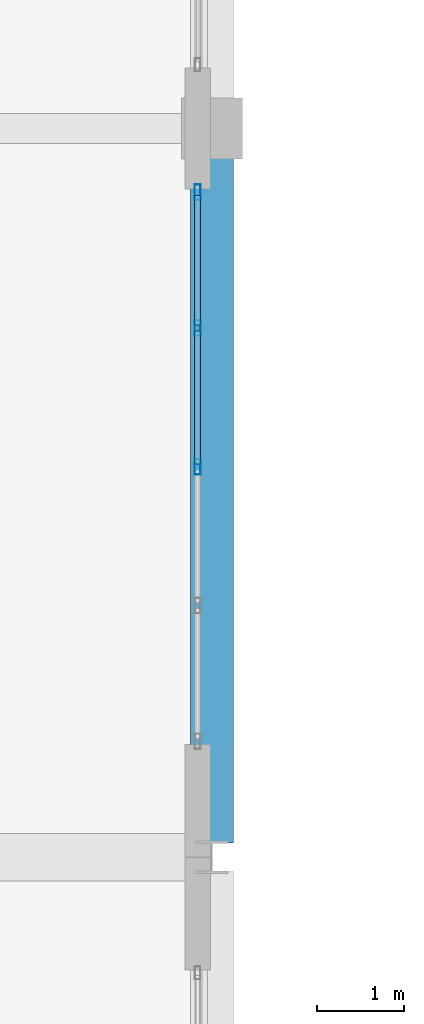
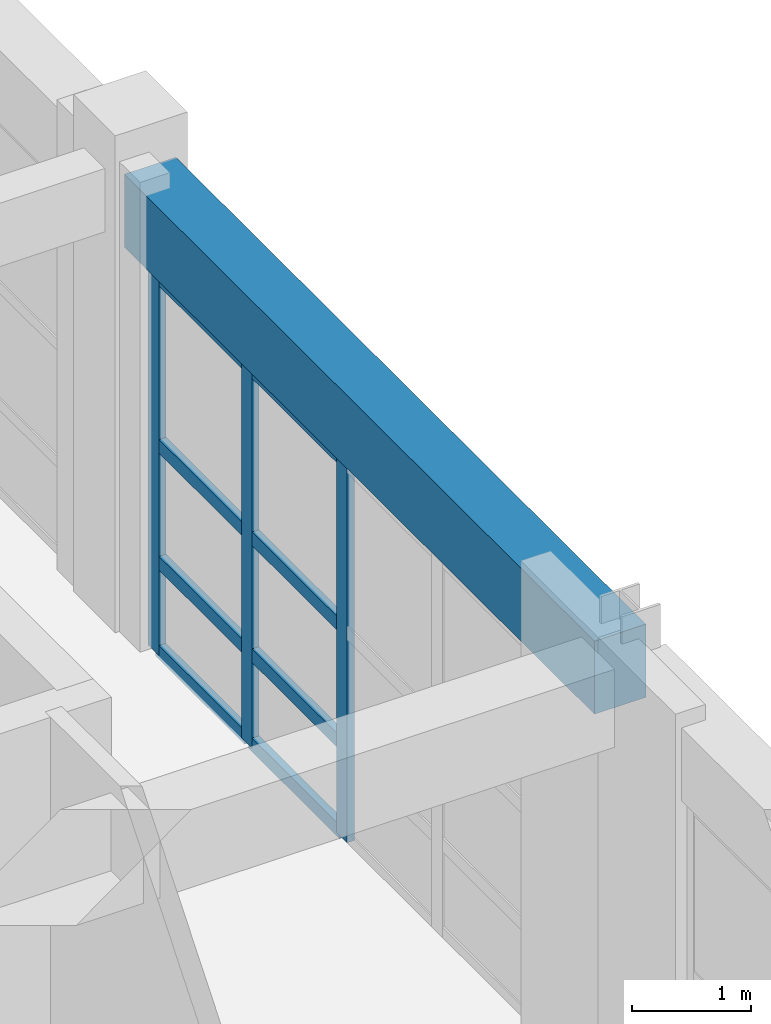
# One storey, part 21 of 78: 11 members, 1 beam, 1 element without a shape of its own.
"""IFC4 building model written with IfcOpenShell, lengths in metres."""

from ifc_helpers import new_model, si_unit, direction, frame, origin, origin_2d, place, context, subcontext, project, spatial, rectangle, hollow_rectangle, extrude, material, layer, layer_set, material_profile, profile_set, type_object, element, aggregate, save


model = new_model("IFC4")

# Units and contexts
model_context = context("Model", 3, precision=1e-05, world=origin(), true_north=direction((0.0, 1.0)))
body_context = subcontext(model_context, "Body", "Model", "MODEL_VIEW")
ifc_project = project(units=[si_unit("LENGTHUNIT", "METRE"), si_unit("AREAUNIT", "SQUARE_METRE"), si_unit("VOLUMEUNIT", "CUBIC_METRE"), si_unit("PLANEANGLEUNIT", "RADIAN"), si_unit("MASSUNIT", "GRAM", prefix="KILO")], contexts=[model_context])

# Site, building, storey
site_placement = place(None, origin())
site = spatial("IfcSite", under=ifc_project, at=site_placement, CompositionType="ELEMENT")
building_placement = place(site_placement, origin())
building = spatial("IfcBuilding", under=site, at=building_placement, Name="Quendrovan Civic Courthouse", CompositionType="ELEMENT")
storey_placement = place(building_placement, frame((0.0, 0.0, 10.199951171875)))
storey = spatial("IfcBuildingStorey", under=building, at=storey_placement, Name="L03", CompositionType="ELEMENT", Elevation=10.199951171875)

# Beam
ifc_material_1 = material(Name="Concrete C40/50", Category="concrete")
ifc_material_profile_1 = material_profile(ifc_material_1, rectangle(XDim=0.5, YDim=0.75, at=origin_2d()), Name="RC-BM-500x750")
ifc_profile_set_1 = profile_set([ifc_material_profile_1], Name="Concrete C40/50")
beam_type = type_object("IfcBeamType", Name="BM-RC750", PredefinedType="SPANDREL", material=ifc_profile_set_1)
beam_placement = place(storey_placement, frame((16.800048828125, 56.56591796875, 4.28515625), z_axis=(0.0, 1.0, 0.0), x_axis=(-1.0, 0.0, 0.0)))
element("IfcBeam", 1, at=beam_placement, inside=storey, type_object=beam_type, Name="L03 Girder Y0815", PredefinedType="SPANDREL", context=body_context, shape_type="SweptSolid", body=[
    extrude(rectangle(XDim=0.5, YDim=0.75, at=origin_2d()), origin(), (0.0, 0.0, 1.0), 7.904052734375),
])

# Curtain wall, members
ifc_material_2 = material(Name="Bronze anodised aluminium and low-E glass", Category="aluminium")
ifc_layer = layer(ifc_material_2, 0.179931640625, Name="Bronze anodised aluminium and low-E glass")
ifc_layer_set = layer_set([ifc_layer], Name="Bronze anodised aluminium and low-E glass")
curtain_wall_type = type_object("IfcCurtainWallType", Name="CW-U64x39", PredefinedType="USERDEFINED", material=ifc_layer_set)
curtain_wall_placement = place(storey_placement, origin())
curtain_wall = element("IfcCurtainWall", 2, at=curtain_wall_placement, inside=storey, type_object=curtain_wall_type, Name="L03 Unitised Hurricane Curtain Wall CW-122", ObjectType="UNITISED CURTAIN WALL", PredefinedType="USERDEFINED")
ifc_material_3 = material(Name="Bronze anodised aluminium", Category="aluminium")
ifc_material_profile_2 = material_profile(ifc_material_3, hollow_rectangle(XDim=0.070068359375, YDim=0.179931640625, WallThickness=0.00390625, at=origin_2d()), Name="CW-MULL-70x180")
ifc_profile_set_2 = profile_set([ifc_material_profile_2], Name="Bronze anodised aluminium")
member_type_1 = type_object("IfcMemberType", Name="CW-MULL-A", PredefinedType="MULLION", material=ifc_profile_set_2)
member_1_placement = place(storey_placement, frame((16.635009765625, 64.06494140625, 0.0), z_axis=(0.0, 0.0, 1.0), x_axis=(1.0, 0.0, 0.0)))
member_1 = element("IfcMember", 3, at=member_1_placement, type_object=member_type_1, Name="CW-122 mullion 1", PredefinedType="MULLION", context=body_context, shape_type="SweptSolid", body=[
    extrude(hollow_rectangle(XDim=0.070068359375, YDim=0.179931640625, WallThickness=0.00390625, at=origin_2d()), origin(), (0.0, 0.0, 1.0), 3.900146484375),
])
member_2_placement = place(storey_placement, frame((16.635009765625, 62.5, 0.0), z_axis=(0.0, 0.0, 1.0), x_axis=(1.0, 0.0, 0.0)))
member_2 = element("IfcMember", 4, at=member_2_placement, type_object=member_type_1, Name="CW-122 mullion 2", PredefinedType="MULLION", context=body_context, shape_type="SweptSolid", body=[
    extrude(hollow_rectangle(XDim=0.070068359375, YDim=0.179931640625, WallThickness=0.00390625, at=origin_2d()), origin(), (0.0, 0.0, 1.0), 3.900146484375),
])
member_3_placement = place(storey_placement, frame((16.635009765625, 60.89990234375, 0.0), z_axis=(0.0, 0.0, 1.0), x_axis=(1.0, 0.0, 0.0)))
member_3 = element("IfcMember", 5, at=member_3_placement, type_object=member_type_1, Name="CW-122 mullion 3", PredefinedType="MULLION", context=body_context, shape_type="SweptSolid", body=[
    extrude(hollow_rectangle(XDim=0.070068359375, YDim=0.179931640625, WallThickness=0.00390625, at=origin_2d()), origin(), (0.0, 0.0, 1.0), 3.900146484375),
])
ifc_material_profile_3 = material_profile(ifc_material_3, hollow_rectangle(XDim=0.070068359375, YDim=0.139892578125, WallThickness=0.00390625, at=origin_2d()), Name="CW-TRAN-70x140")
ifc_profile_set_3 = profile_set([ifc_material_profile_3], Name="Bronze anodised aluminium")
member_type_2 = type_object("IfcMemberType", Name="CW-TRAN-A", PredefinedType="USERDEFINED", material=ifc_profile_set_3)
member_4_placement = place(storey_placement, frame((16.635009765625, 64.030029296875, 0.03515625), z_axis=(0.0, -1.0, 0.0), x_axis=(1.0, 0.0, 0.0)))
member_4 = element("IfcMember", 6, at=member_4_placement, type_object=member_type_2, Name="CW-122 transom 1.1", ObjectType="TRANSOM", PredefinedType="USERDEFINED", context=body_context, shape_type="SweptSolid", body=[
    extrude(hollow_rectangle(XDim=0.070068359375, YDim=0.139892578125, WallThickness=0.00390625, at=origin_2d()), origin(), (0.0, 0.0, 1.0), 1.4951171875),
])
member_5_placement = place(storey_placement, frame((16.635009765625, 64.030029296875, 0.949951171875), z_axis=(0.0, -1.0, 0.0), x_axis=(1.0, 0.0, 0.0)))
member_5 = element("IfcMember", 7, at=member_5_placement, type_object=member_type_2, Name="CW-122 transom 1.2", ObjectType="TRANSOM", PredefinedType="USERDEFINED", context=body_context, shape_type="SweptSolid", body=[
    extrude(hollow_rectangle(XDim=0.070068359375, YDim=0.139892578125, WallThickness=0.00390625, at=origin_2d()), origin(), (0.0, 0.0, 1.0), 1.4951171875),
])
member_6_placement = place(storey_placement, frame((16.635009765625, 64.030029296875, 2.150146484375), z_axis=(0.0, -1.0, 0.0), x_axis=(1.0, 0.0, 0.0)))
member_6 = element("IfcMember", 8, at=member_6_placement, type_object=member_type_2, Name="CW-122 transom 1.3", ObjectType="TRANSOM", PredefinedType="USERDEFINED", context=body_context, shape_type="SweptSolid", body=[
    extrude(hollow_rectangle(XDim=0.070068359375, YDim=0.139892578125, WallThickness=0.00390625, at=origin_2d()), origin(), (0.0, 0.0, 1.0), 1.4951171875),
])
member_7_placement = place(storey_placement, frame((16.635009765625, 64.030029296875, 3.864990234375), z_axis=(0.0, -1.0, 0.0), x_axis=(1.0, 0.0, 0.0)))
member_7 = element("IfcMember", 9, at=member_7_placement, type_object=member_type_2, Name="CW-122 transom 1.4", ObjectType="TRANSOM", PredefinedType="USERDEFINED", context=body_context, shape_type="SweptSolid", body=[
    extrude(hollow_rectangle(XDim=0.070068359375, YDim=0.139892578125, WallThickness=0.00390625, at=origin_2d()), origin(), (0.0, 0.0, 1.0), 1.4951171875),
])
member_8_placement = place(storey_placement, frame((16.635009765625, 62.465087890625, 0.03515625), z_axis=(0.0, -1.0, 0.0), x_axis=(1.0, 0.0, 0.0)))
member_8 = element("IfcMember", 10, at=member_8_placement, type_object=member_type_2, Name="CW-122 transom 2.1", ObjectType="TRANSOM", PredefinedType="USERDEFINED", context=body_context, shape_type="SweptSolid", body=[
    extrude(hollow_rectangle(XDim=0.070068359375, YDim=0.139892578125, WallThickness=0.00390625, at=origin_2d()), origin(), (0.0, 0.0, 1.0), 1.530029296875),
])
member_9_placement = place(storey_placement, frame((16.635009765625, 62.465087890625, 0.949951171875), z_axis=(0.0, -1.0, 0.0), x_axis=(1.0, 0.0, 0.0)))
member_9 = element("IfcMember", 11, at=member_9_placement, type_object=member_type_2, Name="CW-122 transom 2.2", ObjectType="TRANSOM", PredefinedType="USERDEFINED", context=body_context, shape_type="SweptSolid", body=[
    extrude(hollow_rectangle(XDim=0.070068359375, YDim=0.139892578125, WallThickness=0.00390625, at=origin_2d()), origin(), (0.0, 0.0, 1.0), 1.530029296875),
])
member_10_placement = place(storey_placement, frame((16.635009765625, 62.465087890625, 2.150146484375), z_axis=(0.0, -1.0, 0.0), x_axis=(1.0, 0.0, 0.0)))
member_10 = element("IfcMember", 12, at=member_10_placement, type_object=member_type_2, Name="CW-122 transom 2.3", ObjectType="TRANSOM", PredefinedType="USERDEFINED", context=body_context, shape_type="SweptSolid", body=[
    extrude(hollow_rectangle(XDim=0.070068359375, YDim=0.139892578125, WallThickness=0.00390625, at=origin_2d()), origin(), (0.0, 0.0, 1.0), 1.530029296875),
])
member_11_placement = place(storey_placement, frame((16.635009765625, 62.465087890625, 3.864990234375), z_axis=(0.0, -1.0, 0.0), x_axis=(1.0, 0.0, 0.0)))
member_11 = element("IfcMember", 13, at=member_11_placement, type_object=member_type_2, Name="CW-122 transom 2.4", ObjectType="TRANSOM", PredefinedType="USERDEFINED", context=body_context, shape_type="SweptSolid", body=[
    extrude(hollow_rectangle(XDim=0.070068359375, YDim=0.139892578125, WallThickness=0.00390625, at=origin_2d()), origin(), (0.0, 0.0, 1.0), 1.530029296875),
])
aggregate(curtain_wall, [member_1, member_2, member_3, member_4, member_5, member_6, member_7, member_8, member_9, member_10, member_11])

save(model, "model.ifc")
